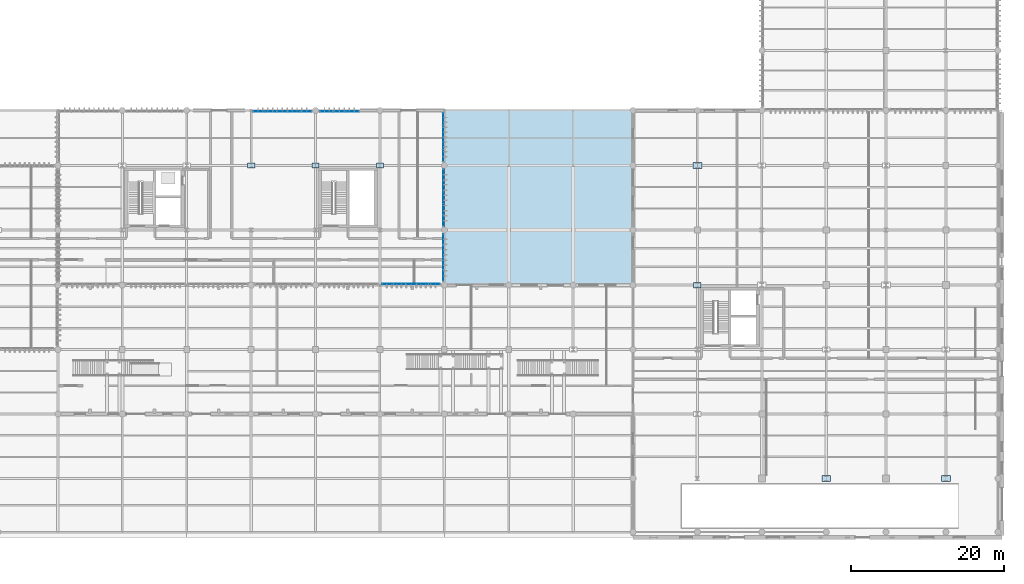
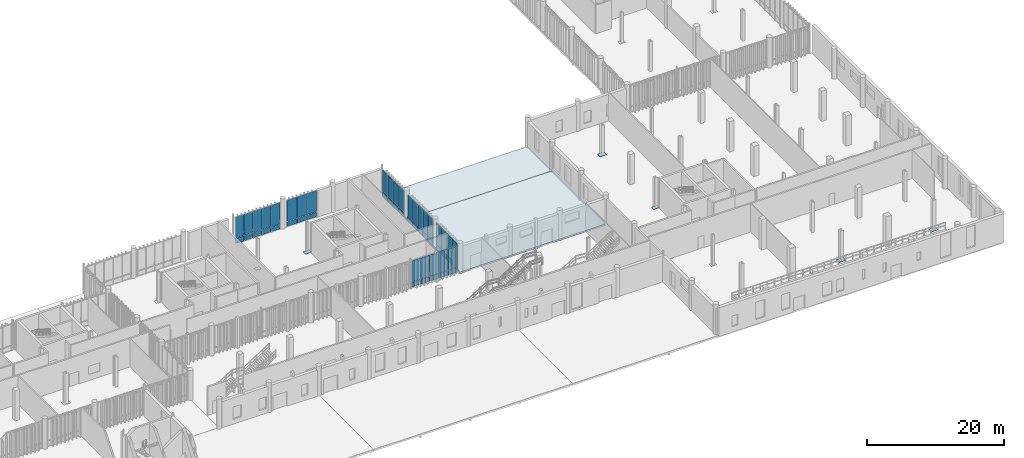
# One storey, part 80 of 112: 59 plates, 2 slabs, 6 elements without a shape of their own.
"""IFC4 building model written with IfcOpenShell, lengths in metres."""

from ifc_helpers import new_model, si_unit, direction, frame, frame_2d, origin_with_axes, origin_2d_with_axis, place, context, subcontext, project, spatial, polyline, rectangle, outline, extrude, material, layer, layer_set, type_object, element, aggregate, save


model = new_model("IFC4")

# Units and contexts
model_context = context("Model", 3, precision=1e-05, world=origin_with_axes(), true_north=direction((0.0, 1.0)))
body_context = subcontext(model_context, "Body", "Model", "MODEL_VIEW")
ifc_project = project(units=[si_unit("LENGTHUNIT", "METRE"), si_unit("AREAUNIT", "SQUARE_METRE"), si_unit("VOLUMEUNIT", "CUBIC_METRE"), si_unit("PLANEANGLEUNIT", "RADIAN"), si_unit("MASSUNIT", "GRAM", prefix="KILO"), si_unit("THERMODYNAMICTEMPERATUREUNIT", "KELVIN")], contexts=[model_context])

# Site, building, storey
site_placement = place(None, origin_with_axes())
site = spatial("IfcSite", under=ifc_project, at=site_placement, CompositionType="ELEMENT")
building_placement = place(site_placement, origin_with_axes())
building = spatial("IfcBuilding", under=site, at=building_placement, Name="Montbau Bow Law Courts", CompositionType="ELEMENT")
storey_placement = place(building_placement, origin_with_axes())
storey = spatial("IfcBuildingStorey", under=building, at=storey_placement, Name="L00", CompositionType="ELEMENT", Elevation=0.0)

# Plates
ifc_material_1 = material(Name="Steel CSA G40.21 Grade 350WT (350 MPa)", Category="steel")
ifc_layer_1 = layer(ifc_material_1, 0.065, Name="Base Plate", Category="steel")
ifc_layer_set_1 = layer_set([ifc_layer_1], Name="Steel CSA G40.21 Grade 350WT (350 MPa)")
plate_type_1 = type_object("IfcPlateType", Name="PL-BAS-01", PredefinedType="USERDEFINED", material=ifc_layer_set_1)
for number, where, z_axis, x_axis, name in (
    (1, (130.2, 54.6, -0.065), (0.0, 0.0, 1.0), (1.0, 0.0, 0.0), "BP-282:plt_0015"),
    (2, (147.0, 13.8, -0.065), (0.0, 0.0, 1.0), (1.0, 0.0, 0.0), "BP-300:plt_0018"),
    (3, (162.6, 13.8, -0.065), (0.0, 0.0, 1.0), (1.0, 0.0, 0.0), "BP-330:plt_0027"),
):
    element("IfcPlate", number, at=place(None, frame(where, z_axis=z_axis, x_axis=x_axis)), inside=storey, type_object=plate_type_1, Name=name, ObjectType="BASE_PLATE", PredefinedType="USERDEFINED", context=body_context, shape_type="SweptSolid", body=[
        extrude(rectangle(XDim=1.15, YDim=0.8, at=origin_2d_with_axis()), origin_with_axes(), (0.0, 0.0, 1.0), 0.065),
    ])
ifc_material_2 = material(Name="Steel CSA G40.21 Grade 350W (350 MPa)", Category="steel")
ifc_layer_2 = layer(ifc_material_2, 0.05, Name="Base Plate", Category="steel")
ifc_layer_set_2 = layer_set([ifc_layer_2], Name="Steel CSA G40.21 Grade 350W (350 MPa)")
plate_type_2 = type_object("IfcPlateType", Name="PL-BAS-02", PredefinedType="USERDEFINED", material=ifc_layer_set_2)
for number, where, z_axis, x_axis, name in (
    (4, (72.0, 54.6, -0.05), (0.0, 0.0, 1.0), (1.0, 0.0, 0.0), "BP-242:plt_0009"),
    (5, (80.4, 54.6, -0.05), (0.0, 0.0, 1.0), (1.0, 0.0, 0.0), "BP-248:plt_0010"),
    (6, (88.8, 54.6, -0.05), (0.0, 0.0, 1.0), (1.0, 0.0, 0.0), "BP-254:plt_0011"),
    (7, (130.2, 39.0, -0.05), (0.0, 0.0, 1.0), (1.0, 0.0, 0.0), "BP-280:plt_0014"),
):
    element("IfcPlate", number, at=place(None, frame(where, z_axis=z_axis, x_axis=x_axis)), inside=storey, type_object=plate_type_2, Name=name, ObjectType="BASE_PLATE", PredefinedType="USERDEFINED", context=body_context, shape_type="SweptSolid", body=[
        extrude(rectangle(XDim=0.96, YDim=0.68, at=origin_2d_with_axis()), origin_with_axes(), (0.0, 0.0, 1.0), 0.05),
    ])

# Curtain wall, plates
ifc_material_3 = material(Name="Thermally Broken Extruded Aluminium AA 6063-T6", Category="aluminium")
curtain_wall_type = type_object("IfcCurtainWallType", Name="CW-CRM-01", PredefinedType="NOTDEFINED", material=ifc_material_3)
curtain_wall_1_placement = place(None, frame((89.067, 39.14, 0.0), z_axis=(0.0, 0.0, 1.0), x_axis=(1.0, 0.0, 0.0)))
curtain_wall_1 = element("IfcCurtainWall", 8, at=curtain_wall_1_placement, inside=storey, type_object=curtain_wall_type, Name="CW-L00-128:cw_0128", PredefinedType="NOTDEFINED")
ifc_material_4 = material(Name="Triple-Glazed Low-E Argon Insulating Glass Unit", Category="glass")
ifc_layer_3 = layer(ifc_material_4, 0.044, Name="Curtain Panel", Category="glass")
ifc_layer_set_3 = layer_set([ifc_layer_3], Name="Triple-Glazed Low-E Argon Insulating Glass Unit")
plate_type_3 = type_object("IfcPlateType", Name="PL-CWP-01", PredefinedType="CURTAIN_PANEL", material=ifc_layer_set_3)
plate_1_placement = place(None, frame((89.129, 39.14, 0.982), z_axis=(0.0, -1.0, 0.0), x_axis=(1.0, 0.0, 0.0)))
plate_1 = element("IfcPlate", 9, at=plate_1_placement, type_object=plate_type_3, Name="CW-L00-128-P01-2:cw_0128_P01_2", PredefinedType="CURTAIN_PANEL", context=body_context, shape_type="SweptSolid", body=[
    extrude(rectangle(XDim=1.43, YDim=3.776, at=frame_2d((0.715, 1.888), x_axis=(1.0, 0.0))), frame((0.0, 0.0, -0.022), z_axis=(0.0, 0.0, 1.0), x_axis=(1.0, 0.0, 0.0)), (0.0, 0.0, 1.0), 0.044),
])
plate_2_placement = place(None, frame((90.623, 39.14, 0.982), z_axis=(0.0, -1.0, 0.0), x_axis=(1.0, 0.0, 0.0)))
plate_2 = element("IfcPlate", 10, at=plate_2_placement, type_object=plate_type_3, Name="CW-L00-128-P02-2:cw_0128_P02_2", PredefinedType="CURTAIN_PANEL", context=body_context, shape_type="SweptSolid", body=[
    extrude(rectangle(XDim=1.459, YDim=3.776, at=frame_2d((0.7295, 1.888), x_axis=(1.0, 0.0))), frame((0.0, 0.0, -0.022), z_axis=(0.0, 0.0, 1.0), x_axis=(1.0, 0.0, 0.0)), (0.0, 0.0, 1.0), 0.044),
])
plate_3_placement = place(None, frame((92.146, 39.14, 0.982), z_axis=(0.0, -1.0, 0.0), x_axis=(1.0, 0.0, 0.0)))
plate_3 = element("IfcPlate", 11, at=plate_3_placement, type_object=plate_type_3, Name="CW-L00-128-P03-2:cw_0128_P03_2", PredefinedType="CURTAIN_PANEL", context=body_context, shape_type="SweptSolid", body=[
    extrude(rectangle(XDim=1.46, YDim=3.776, at=frame_2d((0.73, 1.888), x_axis=(1.0, 0.0))), frame((0.0, 0.0, -0.022), z_axis=(0.0, 0.0, 1.0), x_axis=(1.0, 0.0, 0.0)), (0.0, 0.0, 1.0), 0.044),
])
plate_4_placement = place(None, frame((93.67, 39.14, 0.982), z_axis=(0.0, -1.0, 0.0), x_axis=(1.0, 0.0, 0.0)))
plate_4 = element("IfcPlate", 12, at=plate_4_placement, type_object=plate_type_3, Name="CW-L00-128-P04-2:cw_0128_P04_2", PredefinedType="CURTAIN_PANEL", context=body_context, shape_type="SweptSolid", body=[
    extrude(rectangle(XDim=1.459, YDim=3.776, at=frame_2d((0.7295, 1.888), x_axis=(1.0, 0.0))), frame((0.0, 0.0, -0.022), z_axis=(0.0, 0.0, 1.0), x_axis=(1.0, 0.0, 0.0)), (0.0, 0.0, 1.0), 0.044),
])
plate_5_placement = place(None, frame((95.193, 39.14, 0.982), z_axis=(0.0, -1.0, 0.0), x_axis=(1.0, 0.0, 0.0)))
plate_5 = element("IfcPlate", 13, at=plate_5_placement, type_object=plate_type_3, Name="CW-L00-128-P05-2:cw_0128_P05_2", PredefinedType="CURTAIN_PANEL", context=body_context, shape_type="SweptSolid", body=[
    extrude(rectangle(XDim=1.43, YDim=3.776, at=frame_2d((0.715, 1.888), x_axis=(1.0, 0.0))), frame((0.0, 0.0, -0.022), z_axis=(0.0, 0.0, 1.0), x_axis=(1.0, 0.0, 0.0)), (0.0, 0.0, 1.0), 0.044),
])

curtain_wall_2_placement = place(None, frame((72.267, 61.66, 0.0), z_axis=(0.0, 0.0, 1.0), x_axis=(1.0, 0.0, 0.0)))
curtain_wall_2 = element("IfcCurtainWall", 14, at=curtain_wall_2_placement, inside=storey, type_object=curtain_wall_type, Name="CW-L00-131:cw_0131", PredefinedType="NOTDEFINED")
plate_6_placement = place(None, frame((72.329, 61.66, 0.979), z_axis=(0.0, -1.0, 0.0), x_axis=(1.0, 0.0, 0.0)))
plate_6 = element("IfcPlate", 15, at=plate_6_placement, type_object=plate_type_3, Name="CW-L00-131-P01-2:cw_0131_P01_2", PredefinedType="CURTAIN_PANEL", context=body_context, shape_type="SweptSolid", body=[
    extrude(rectangle(XDim=1.43, YDim=3.785, at=frame_2d((0.715, 1.8925), x_axis=(1.0, 0.0))), frame((0.0, 0.0, -0.022), z_axis=(0.0, 0.0, 1.0), x_axis=(1.0, 0.0, 0.0)), (0.0, 0.0, 1.0), 0.044),
])
plate_7_placement = place(None, frame((73.823, 61.66, 0.979), z_axis=(0.0, -1.0, 0.0), x_axis=(1.0, 0.0, 0.0)))
plate_7 = element("IfcPlate", 16, at=plate_7_placement, type_object=plate_type_3, Name="CW-L00-131-P02-2:cw_0131_P02_2", PredefinedType="CURTAIN_PANEL", context=body_context, shape_type="SweptSolid", body=[
    extrude(rectangle(XDim=1.459, YDim=3.785, at=frame_2d((0.7295, 1.8925), x_axis=(1.0, 0.0))), frame((0.0, 0.0, -0.022), z_axis=(0.0, 0.0, 1.0), x_axis=(1.0, 0.0, 0.0)), (0.0, 0.0, 1.0), 0.044),
])
plate_8_placement = place(None, frame((75.346, 61.66, 0.979), z_axis=(0.0, -1.0, 0.0), x_axis=(1.0, 0.0, 0.0)))
plate_8 = element("IfcPlate", 17, at=plate_8_placement, type_object=plate_type_3, Name="CW-L00-131-P03-2:cw_0131_P03_2", PredefinedType="CURTAIN_PANEL", context=body_context, shape_type="SweptSolid", body=[
    extrude(rectangle(XDim=1.46, YDim=3.785, at=frame_2d((0.73, 1.8925), x_axis=(1.0, 0.0))), frame((0.0, 0.0, -0.022), z_axis=(0.0, 0.0, 1.0), x_axis=(1.0, 0.0, 0.0)), (0.0, 0.0, 1.0), 0.044),
])
plate_9_placement = place(None, frame((76.87, 61.66, 0.979), z_axis=(0.0, -1.0, 0.0), x_axis=(1.0, 0.0, 0.0)))
plate_9 = element("IfcPlate", 18, at=plate_9_placement, type_object=plate_type_3, Name="CW-L00-131-P04-2:cw_0131_P04_2", PredefinedType="CURTAIN_PANEL", context=body_context, shape_type="SweptSolid", body=[
    extrude(rectangle(XDim=1.459, YDim=3.785, at=frame_2d((0.7295, 1.8925), x_axis=(1.0, 0.0))), frame((0.0, 0.0, -0.022), z_axis=(0.0, 0.0, 1.0), x_axis=(1.0, 0.0, 0.0)), (0.0, 0.0, 1.0), 0.044),
])
plate_10_placement = place(None, frame((78.393, 61.66, 0.979), z_axis=(0.0, -1.0, 0.0), x_axis=(1.0, 0.0, 0.0)))
plate_10 = element("IfcPlate", 19, at=plate_10_placement, type_object=plate_type_3, Name="CW-L00-131-P05-2:cw_0131_P05_2", PredefinedType="CURTAIN_PANEL", context=body_context, shape_type="SweptSolid", body=[
    extrude(rectangle(XDim=1.43, YDim=3.785, at=frame_2d((0.715, 1.8925), x_axis=(1.0, 0.0))), frame((0.0, 0.0, -0.022), z_axis=(0.0, 0.0, 1.0), x_axis=(1.0, 0.0, 0.0)), (0.0, 0.0, 1.0), 0.044),
])

curtain_wall_3_placement = place(None, frame((80.915, 61.66, 0.0), z_axis=(0.0, 0.0, 1.0), x_axis=(1.0, 0.0, 0.0)))
curtain_wall_3 = element("IfcCurtainWall", 20, at=curtain_wall_3_placement, inside=storey, type_object=curtain_wall_type, Name="CW-L00-132:cw_0132", PredefinedType="NOTDEFINED")
plate_11_placement = place(None, frame((80.991, 61.66, 0.982), z_axis=(0.0, -1.0, 0.0), x_axis=(1.0, 0.0, 0.0)))
plate_11 = element("IfcPlate", 21, at=plate_11_placement, type_object=plate_type_3, Name="CW-L00-132-P01-2:cw_0132_P01_2", PredefinedType="CURTAIN_PANEL", context=body_context, shape_type="SweptSolid", body=[
    extrude(rectangle(XDim=1.62, YDim=3.776, at=frame_2d((0.81, 1.888), x_axis=(1.0, 0.0))), frame((0.0, 0.0, -0.022), z_axis=(0.0, 0.0, 1.0), x_axis=(1.0, 0.0, 0.0)), (0.0, 0.0, 1.0), 0.044),
])
plate_12_placement = place(None, frame((82.69, 61.66, 0.982), z_axis=(0.0, -1.0, 0.0), x_axis=(1.0, 0.0, 0.0)))
plate_12 = element("IfcPlate", 22, at=plate_12_placement, type_object=plate_type_3, Name="CW-L00-132-P02-2:cw_0132_P02_2", PredefinedType="CURTAIN_PANEL", context=body_context, shape_type="SweptSolid", body=[
    extrude(rectangle(XDim=1.656, YDim=3.776, at=frame_2d((0.828, 1.888), x_axis=(1.0, 0.0))), frame((0.0, 0.0, -0.022), z_axis=(0.0, 0.0, 1.0), x_axis=(1.0, 0.0, 0.0)), (0.0, 0.0, 1.0), 0.044),
])
plate_13_placement = place(None, frame((84.425, 61.66, 0.982), z_axis=(0.0, -1.0, 0.0), x_axis=(1.0, 0.0, 0.0)))
plate_13 = element("IfcPlate", 23, at=plate_13_placement, type_object=plate_type_3, Name="CW-L00-132-P03-2:cw_0132_P03_2", PredefinedType="CURTAIN_PANEL", context=body_context, shape_type="SweptSolid", body=[
    extrude(rectangle(XDim=1.618, YDim=3.776, at=frame_2d((0.809, 1.888), x_axis=(1.0, 0.0))), frame((0.0, 0.0, -0.022), z_axis=(0.0, 0.0, 1.0), x_axis=(1.0, 0.0, 0.0)), (0.0, 0.0, 1.0), 0.044),
])

curtain_wall_4_placement = place(None, frame((97.06, 39.515, 0.0), z_axis=(0.0, 0.0, 1.0), x_axis=(1.0, 0.0, 0.0)))
curtain_wall_4 = element("IfcCurtainWall", 24, at=curtain_wall_4_placement, inside=storey, type_object=curtain_wall_type, Name="CW-L00-136:cw_0136", PredefinedType="NOTDEFINED")
plate_14_placement = place(None, frame((97.06, 39.583, 0.982), z_axis=(1.0, 0.0, 0.0), x_axis=(0.0, 1.0, 0.0)))
plate_14 = element("IfcPlate", 25, at=plate_14_placement, type_object=plate_type_3, Name="CW-L00-136-P01-2:cw_0136_P01_2", PredefinedType="CURTAIN_PANEL", context=body_context, shape_type="SweptSolid", body=[
    extrude(rectangle(XDim=1.44, YDim=3.776, at=frame_2d((0.72, 1.888), x_axis=(1.0, 0.0))), frame((0.0, 0.0, -0.022), z_axis=(0.0, 0.0, 1.0), x_axis=(1.0, 0.0, 0.0)), (0.0, 0.0, 1.0), 0.044),
])
plate_15_placement = place(None, frame((97.06, 41.092, 0.982), z_axis=(1.0, 0.0, 0.0), x_axis=(0.0, 1.0, 0.0)))
plate_15 = element("IfcPlate", 26, at=plate_15_placement, type_object=plate_type_3, Name="CW-L00-136-P02-2:cw_0136_P02_2", PredefinedType="CURTAIN_PANEL", context=body_context, shape_type="SweptSolid", body=[
    extrude(rectangle(XDim=1.473, YDim=3.776, at=frame_2d((0.7365, 1.888), x_axis=(1.0, 0.0))), frame((0.0, 0.0, -0.022), z_axis=(0.0, 0.0, 1.0), x_axis=(1.0, 0.0, 0.0)), (0.0, 0.0, 1.0), 0.044),
])
plate_16_placement = place(None, frame((97.06, 42.634, 0.982), z_axis=(1.0, 0.0, 0.0), x_axis=(0.0, 1.0, 0.0)))
plate_16 = element("IfcPlate", 27, at=plate_16_placement, type_object=plate_type_3, Name="CW-L00-136-P03-2:cw_0136_P03_2", PredefinedType="CURTAIN_PANEL", context=body_context, shape_type="SweptSolid", body=[
    extrude(rectangle(XDim=1.475, YDim=3.776, at=frame_2d((0.7375, 1.888), x_axis=(1.0, 0.0))), frame((0.0, 0.0, -0.022), z_axis=(0.0, 0.0, 1.0), x_axis=(1.0, 0.0, 0.0)), (0.0, 0.0, 1.0), 0.044),
])
plate_17_placement = place(None, frame((97.06, 44.177, 0.982), z_axis=(1.0, 0.0, 0.0), x_axis=(0.0, 1.0, 0.0)))
plate_17 = element("IfcPlate", 28, at=plate_17_placement, type_object=plate_type_3, Name="CW-L00-136-P04-2:cw_0136_P04_2", PredefinedType="CURTAIN_PANEL", context=body_context, shape_type="SweptSolid", body=[
    extrude(rectangle(XDim=1.442, YDim=3.776, at=frame_2d((0.721, 1.888), x_axis=(1.0, 0.0))), frame((0.0, 0.0, -0.022), z_axis=(0.0, 0.0, 1.0), x_axis=(1.0, 0.0, 0.0)), (0.0, 0.0, 1.0), 0.044),
])

curtain_wall_5_placement = place(None, frame((97.06, 46.715, 0.0), z_axis=(0.0, 0.0, 1.0), x_axis=(1.0, 0.0, 0.0)))
curtain_wall_5 = element("IfcCurtainWall", 29, at=curtain_wall_5_placement, inside=storey, type_object=curtain_wall_type, Name="CW-L00-137:cw_0137", PredefinedType="NOTDEFINED")
plate_18_placement = place(None, frame((97.06, 46.777, 0.979), z_axis=(1.0, 0.0, 0.0), x_axis=(0.0, 1.0, 0.0)))
plate_18 = element("IfcPlate", 30, at=plate_18_placement, type_object=plate_type_3, Name="CW-L00-137-P01-2:cw_0137_P01_2", PredefinedType="CURTAIN_PANEL", context=body_context, shape_type="SweptSolid", body=[
    extrude(rectangle(XDim=1.38, YDim=3.785, at=frame_2d((0.69, 1.8925), x_axis=(1.0, 0.0))), frame((0.0, 0.0, -0.022), z_axis=(0.0, 0.0, 1.0), x_axis=(1.0, 0.0, 0.0)), (0.0, 0.0, 1.0), 0.044),
])
plate_19_placement = place(None, frame((97.06, 48.221, 0.979), z_axis=(1.0, 0.0, 0.0), x_axis=(0.0, 1.0, 0.0)))
plate_19 = element("IfcPlate", 31, at=plate_19_placement, type_object=plate_type_3, Name="CW-L00-137-P02-2:cw_0137_P02_2", PredefinedType="CURTAIN_PANEL", context=body_context, shape_type="SweptSolid", body=[
    extrude(rectangle(XDim=1.41, YDim=3.785, at=frame_2d((0.705, 1.8925), x_axis=(1.0, 0.0))), frame((0.0, 0.0, -0.022), z_axis=(0.0, 0.0, 1.0), x_axis=(1.0, 0.0, 0.0)), (0.0, 0.0, 1.0), 0.044),
])
plate_20_placement = place(None, frame((97.06, 49.695, 0.979), z_axis=(1.0, 0.0, 0.0), x_axis=(0.0, 1.0, 0.0)))
plate_20 = element("IfcPlate", 32, at=plate_20_placement, type_object=plate_type_3, Name="CW-L00-137-P03-2:cw_0137_P03_2", PredefinedType="CURTAIN_PANEL", context=body_context, shape_type="SweptSolid", body=[
    extrude(rectangle(XDim=1.41, YDim=3.785, at=frame_2d((0.705, 1.8925), x_axis=(1.0, 0.0))), frame((0.0, 0.0, -0.022), z_axis=(0.0, 0.0, 1.0), x_axis=(1.0, 0.0, 0.0)), (0.0, 0.0, 1.0), 0.044),
])
plate_21_placement = place(None, frame((97.06, 51.169, 0.979), z_axis=(1.0, 0.0, 0.0), x_axis=(0.0, 1.0, 0.0)))
plate_21 = element("IfcPlate", 33, at=plate_21_placement, type_object=plate_type_3, Name="CW-L00-137-P04-2:cw_0137_P04_2", PredefinedType="CURTAIN_PANEL", context=body_context, shape_type="SweptSolid", body=[
    extrude(rectangle(XDim=1.41, YDim=3.785, at=frame_2d((0.705, 1.8925), x_axis=(1.0, 0.0))), frame((0.0, 0.0, -0.022), z_axis=(0.0, 0.0, 1.0), x_axis=(1.0, 0.0, 0.0)), (0.0, 0.0, 1.0), 0.044),
])
plate_22_placement = place(None, frame((97.06, 52.643, 0.979), z_axis=(1.0, 0.0, 0.0), x_axis=(0.0, 1.0, 0.0)))
plate_22 = element("IfcPlate", 34, at=plate_22_placement, type_object=plate_type_3, Name="CW-L00-137-P05-2:cw_0137_P05_2", PredefinedType="CURTAIN_PANEL", context=body_context, shape_type="SweptSolid", body=[
    extrude(rectangle(XDim=1.38, YDim=3.785, at=frame_2d((0.69, 1.8925), x_axis=(1.0, 0.0))), frame((0.0, 0.0, -0.022), z_axis=(0.0, 0.0, 1.0), x_axis=(1.0, 0.0, 0.0)), (0.0, 0.0, 1.0), 0.044),
])

curtain_wall_6_placement = place(None, frame((97.06, 55.115, 0.0), z_axis=(0.0, 0.0, 1.0), x_axis=(1.0, 0.0, 0.0)))
curtain_wall_6 = element("IfcCurtainWall", 35, at=curtain_wall_6_placement, inside=storey, type_object=curtain_wall_type, Name="CW-L00-138:cw_0138", PredefinedType="NOTDEFINED")
plate_23_placement = place(None, frame((97.06, 55.191, 0.982), z_axis=(1.0, 0.0, 0.0), x_axis=(0.0, 1.0, 0.0)))
plate_23 = element("IfcPlate", 36, at=plate_23_placement, type_object=plate_type_3, Name="CW-L00-138-P01-2:cw_0138_P01_2", PredefinedType="CURTAIN_PANEL", context=body_context, shape_type="SweptSolid", body=[
    extrude(rectangle(XDim=1.48, YDim=3.776, at=frame_2d((0.74, 1.888), x_axis=(1.0, 0.0))), frame((0.0, 0.0, -0.022), z_axis=(0.0, 0.0, 1.0), x_axis=(1.0, 0.0, 0.0)), (0.0, 0.0, 1.0), 0.044),
])
plate_24_placement = place(None, frame((97.06, 56.751, 0.982), z_axis=(1.0, 0.0, 0.0), x_axis=(0.0, 1.0, 0.0)))
plate_24 = element("IfcPlate", 37, at=plate_24_placement, type_object=plate_type_3, Name="CW-L00-138-P02-2:cw_0138_P02_2", PredefinedType="CURTAIN_PANEL", context=body_context, shape_type="SweptSolid", body=[
    extrude(rectangle(XDim=1.517, YDim=3.776, at=frame_2d((0.7585, 1.888), x_axis=(1.0, 0.0))), frame((0.0, 0.0, -0.022), z_axis=(0.0, 0.0, 1.0), x_axis=(1.0, 0.0, 0.0)), (0.0, 0.0, 1.0), 0.044),
])
plate_25_placement = place(None, frame((97.06, 58.347, 0.982), z_axis=(1.0, 0.0, 0.0), x_axis=(0.0, 1.0, 0.0)))
plate_25 = element("IfcPlate", 38, at=plate_25_placement, type_object=plate_type_3, Name="CW-L00-138-P03-2:cw_0138_P03_2", PredefinedType="CURTAIN_PANEL", context=body_context, shape_type="SweptSolid", body=[
    extrude(rectangle(XDim=1.517, YDim=3.776, at=frame_2d((0.7585, 1.888), x_axis=(1.0, 0.0))), frame((0.0, 0.0, -0.022), z_axis=(0.0, 0.0, 1.0), x_axis=(1.0, 0.0, 0.0)), (0.0, 0.0, 1.0), 0.044),
])
plate_26_placement = place(None, frame((97.06, 59.942, 0.982), z_axis=(1.0, 0.0, 0.0), x_axis=(0.0, 1.0, 0.0)))
plate_26 = element("IfcPlate", 39, at=plate_26_placement, type_object=plate_type_3, Name="CW-L00-138-P04-2:cw_0138_P04_2", PredefinedType="CURTAIN_PANEL", context=body_context, shape_type="SweptSolid", body=[
    extrude(rectangle(XDim=1.481, YDim=3.776, at=frame_2d((0.7405, 1.888), x_axis=(1.0, 0.0))), frame((0.0, 0.0, -0.022), z_axis=(0.0, 0.0, 1.0), x_axis=(1.0, 0.0, 0.0)), (0.0, 0.0, 1.0), 0.044),
])

# Plate
ifc_material_5 = material(Name="Insulated Ceramic-Frit Spandrel Glazing Unit", Category="glass")
ifc_layer_4 = layer(ifc_material_5, 0.056, Name="Curtain Panel", Category="glass")
ifc_layer_set_4 = layer_set([ifc_layer_4], Name="Insulated Ceramic-Frit Spandrel Glazing Unit")
plate_type_4 = type_object("IfcPlateType", Name="PL-CWP-02", PredefinedType="CURTAIN_PANEL", material=ifc_layer_set_4)
plate_27_placement = place(None, frame((89.129, 39.14, 0.062), z_axis=(0.0, -1.0, 0.0), x_axis=(1.0, 0.0, 0.0)))
plate_27 = element("IfcPlate", 40, at=plate_27_placement, type_object=plate_type_4, Name="CW-L00-128-P01-1:cw_0128_P01_1", PredefinedType="CURTAIN_PANEL", context=body_context, shape_type="SweptSolid", body=[
    extrude(rectangle(XDim=1.43, YDim=0.856, at=frame_2d((0.715, 0.428), x_axis=(1.0, 0.0))), frame((0.0, 0.0, -0.028), z_axis=(0.0, 0.0, 1.0), x_axis=(1.0, 0.0, 0.0)), (0.0, 0.0, 1.0), 0.056),
])

plate_28_placement = place(None, frame((90.623, 39.14, 0.062), z_axis=(0.0, -1.0, 0.0), x_axis=(1.0, 0.0, 0.0)))
plate_28 = element("IfcPlate", 41, at=plate_28_placement, type_object=plate_type_4, Name="CW-L00-128-P02-1:cw_0128_P02_1", PredefinedType="CURTAIN_PANEL", context=body_context, shape_type="SweptSolid", body=[
    extrude(rectangle(XDim=1.459, YDim=0.856, at=frame_2d((0.7295, 0.428), x_axis=(1.0, 0.0))), frame((0.0, 0.0, -0.028), z_axis=(0.0, 0.0, 1.0), x_axis=(1.0, 0.0, 0.0)), (0.0, 0.0, 1.0), 0.056),
])

plate_29_placement = place(None, frame((92.146, 39.14, 0.062), z_axis=(0.0, -1.0, 0.0), x_axis=(1.0, 0.0, 0.0)))
plate_29 = element("IfcPlate", 42, at=plate_29_placement, type_object=plate_type_4, Name="CW-L00-128-P03-1:cw_0128_P03_1", PredefinedType="CURTAIN_PANEL", context=body_context, shape_type="SweptSolid", body=[
    extrude(rectangle(XDim=1.46, YDim=0.856, at=frame_2d((0.73, 0.428), x_axis=(1.0, 0.0))), frame((0.0, 0.0, -0.028), z_axis=(0.0, 0.0, 1.0), x_axis=(1.0, 0.0, 0.0)), (0.0, 0.0, 1.0), 0.056),
])

plate_30_placement = place(None, frame((93.67, 39.14, 0.062), z_axis=(0.0, -1.0, 0.0), x_axis=(1.0, 0.0, 0.0)))
plate_30 = element("IfcPlate", 43, at=plate_30_placement, type_object=plate_type_4, Name="CW-L00-128-P04-1:cw_0128_P04_1", PredefinedType="CURTAIN_PANEL", context=body_context, shape_type="SweptSolid", body=[
    extrude(rectangle(XDim=1.459, YDim=0.856, at=frame_2d((0.7295, 0.428), x_axis=(1.0, 0.0))), frame((0.0, 0.0, -0.028), z_axis=(0.0, 0.0, 1.0), x_axis=(1.0, 0.0, 0.0)), (0.0, 0.0, 1.0), 0.056),
])

plate_31_placement = place(None, frame((95.193, 39.14, 0.062), z_axis=(0.0, -1.0, 0.0), x_axis=(1.0, 0.0, 0.0)))
plate_31 = element("IfcPlate", 44, at=plate_31_placement, type_object=plate_type_4, Name="CW-L00-128-P05-1:cw_0128_P05_1", PredefinedType="CURTAIN_PANEL", context=body_context, shape_type="SweptSolid", body=[
    extrude(rectangle(XDim=1.43, YDim=0.856, at=frame_2d((0.715, 0.428), x_axis=(1.0, 0.0))), frame((0.0, 0.0, -0.028), z_axis=(0.0, 0.0, 1.0), x_axis=(1.0, 0.0, 0.0)), (0.0, 0.0, 1.0), 0.056),
])

aggregate(curtain_wall_1, [plate_27, plate_1, plate_28, plate_2, plate_29, plate_3, plate_30, plate_4, plate_31, plate_5])

plate_32_placement = place(None, frame((72.329, 61.66, 0.058), z_axis=(0.0, -1.0, 0.0), x_axis=(1.0, 0.0, 0.0)))
plate_32 = element("IfcPlate", 45, at=plate_32_placement, type_object=plate_type_4, Name="CW-L00-131-P01-1:cw_0131_P01_1", PredefinedType="CURTAIN_PANEL", context=body_context, shape_type="SweptSolid", body=[
    extrude(rectangle(XDim=1.43, YDim=0.862, at=frame_2d((0.715, 0.431), x_axis=(1.0, 0.0))), frame((0.0, 0.0, -0.028), z_axis=(0.0, 0.0, 1.0), x_axis=(1.0, 0.0, 0.0)), (0.0, 0.0, 1.0), 0.056),
])

plate_33_placement = place(None, frame((73.823, 61.66, 0.058), z_axis=(0.0, -1.0, 0.0), x_axis=(1.0, 0.0, 0.0)))
plate_33 = element("IfcPlate", 46, at=plate_33_placement, type_object=plate_type_4, Name="CW-L00-131-P02-1:cw_0131_P02_1", PredefinedType="CURTAIN_PANEL", context=body_context, shape_type="SweptSolid", body=[
    extrude(rectangle(XDim=1.459, YDim=0.862, at=frame_2d((0.7295, 0.431), x_axis=(1.0, 0.0))), frame((0.0, 0.0, -0.028), z_axis=(0.0, 0.0, 1.0), x_axis=(1.0, 0.0, 0.0)), (0.0, 0.0, 1.0), 0.056),
])

plate_34_placement = place(None, frame((75.346, 61.66, 0.058), z_axis=(0.0, -1.0, 0.0), x_axis=(1.0, 0.0, 0.0)))
plate_34 = element("IfcPlate", 47, at=plate_34_placement, type_object=plate_type_4, Name="CW-L00-131-P03-1:cw_0131_P03_1", PredefinedType="CURTAIN_PANEL", context=body_context, shape_type="SweptSolid", body=[
    extrude(rectangle(XDim=1.46, YDim=0.862, at=frame_2d((0.73, 0.431), x_axis=(1.0, 0.0))), frame((0.0, 0.0, -0.028), z_axis=(0.0, 0.0, 1.0), x_axis=(1.0, 0.0, 0.0)), (0.0, 0.0, 1.0), 0.056),
])

plate_35_placement = place(None, frame((76.87, 61.66, 0.058), z_axis=(0.0, -1.0, 0.0), x_axis=(1.0, 0.0, 0.0)))
plate_35 = element("IfcPlate", 48, at=plate_35_placement, type_object=plate_type_4, Name="CW-L00-131-P04-1:cw_0131_P04_1", PredefinedType="CURTAIN_PANEL", context=body_context, shape_type="SweptSolid", body=[
    extrude(rectangle(XDim=1.459, YDim=0.862, at=frame_2d((0.7295, 0.431), x_axis=(1.0, 0.0))), frame((0.0, 0.0, -0.028), z_axis=(0.0, 0.0, 1.0), x_axis=(1.0, 0.0, 0.0)), (0.0, 0.0, 1.0), 0.056),
])

plate_36_placement = place(None, frame((78.393, 61.66, 0.058), z_axis=(0.0, -1.0, 0.0), x_axis=(1.0, 0.0, 0.0)))
plate_36 = element("IfcPlate", 49, at=plate_36_placement, type_object=plate_type_4, Name="CW-L00-131-P05-1:cw_0131_P05_1", PredefinedType="CURTAIN_PANEL", context=body_context, shape_type="SweptSolid", body=[
    extrude(rectangle(XDim=1.43, YDim=0.862, at=frame_2d((0.715, 0.431), x_axis=(1.0, 0.0))), frame((0.0, 0.0, -0.028), z_axis=(0.0, 0.0, 1.0), x_axis=(1.0, 0.0, 0.0)), (0.0, 0.0, 1.0), 0.056),
])

aggregate(curtain_wall_2, [plate_32, plate_6, plate_33, plate_7, plate_34, plate_8, plate_35, plate_9, plate_36, plate_10])

plate_37_placement = place(None, frame((80.991, 61.66, 0.062), z_axis=(0.0, -1.0, 0.0), x_axis=(1.0, 0.0, 0.0)))
plate_37 = element("IfcPlate", 50, at=plate_37_placement, type_object=plate_type_4, Name="CW-L00-132-P01-1:cw_0132_P01_1", PredefinedType="CURTAIN_PANEL", context=body_context, shape_type="SweptSolid", body=[
    extrude(rectangle(XDim=1.62, YDim=0.856, at=frame_2d((0.81, 0.428), x_axis=(1.0, 0.0))), frame((0.0, 0.0, -0.028), z_axis=(0.0, 0.0, 1.0), x_axis=(1.0, 0.0, 0.0)), (0.0, 0.0, 1.0), 0.056),
])

plate_38_placement = place(None, frame((82.69, 61.66, 0.062), z_axis=(0.0, -1.0, 0.0), x_axis=(1.0, 0.0, 0.0)))
plate_38 = element("IfcPlate", 51, at=plate_38_placement, type_object=plate_type_4, Name="CW-L00-132-P02-1:cw_0132_P02_1", PredefinedType="CURTAIN_PANEL", context=body_context, shape_type="SweptSolid", body=[
    extrude(rectangle(XDim=1.656, YDim=0.856, at=frame_2d((0.828, 0.428), x_axis=(1.0, 0.0))), frame((0.0, 0.0, -0.028), z_axis=(0.0, 0.0, 1.0), x_axis=(1.0, 0.0, 0.0)), (0.0, 0.0, 1.0), 0.056),
])

plate_39_placement = place(None, frame((84.425, 61.66, 0.062), z_axis=(0.0, -1.0, 0.0), x_axis=(1.0, 0.0, 0.0)))
plate_39 = element("IfcPlate", 52, at=plate_39_placement, type_object=plate_type_4, Name="CW-L00-132-P03-1:cw_0132_P03_1", PredefinedType="CURTAIN_PANEL", context=body_context, shape_type="SweptSolid", body=[
    extrude(rectangle(XDim=1.618, YDim=0.856, at=frame_2d((0.809, 0.428), x_axis=(1.0, 0.0))), frame((0.0, 0.0, -0.028), z_axis=(0.0, 0.0, 1.0), x_axis=(1.0, 0.0, 0.0)), (0.0, 0.0, 1.0), 0.056),
])

aggregate(curtain_wall_3, [plate_37, plate_11, plate_38, plate_12, plate_39, plate_13])

plate_40_placement = place(None, frame((97.06, 39.583, 0.062), z_axis=(1.0, 0.0, 0.0), x_axis=(0.0, 1.0, 0.0)))
plate_40 = element("IfcPlate", 53, at=plate_40_placement, type_object=plate_type_4, Name="CW-L00-136-P01-1:cw_0136_P01_1", PredefinedType="CURTAIN_PANEL", context=body_context, shape_type="SweptSolid", body=[
    extrude(rectangle(XDim=1.44, YDim=0.856, at=frame_2d((0.72, 0.428), x_axis=(1.0, 0.0))), frame((0.0, 0.0, -0.028), z_axis=(0.0, 0.0, 1.0), x_axis=(1.0, 0.0, 0.0)), (0.0, 0.0, 1.0), 0.056),
])

plate_41_placement = place(None, frame((97.06, 41.092, 0.062), z_axis=(1.0, 0.0, 0.0), x_axis=(0.0, 1.0, 0.0)))
plate_41 = element("IfcPlate", 54, at=plate_41_placement, type_object=plate_type_4, Name="CW-L00-136-P02-1:cw_0136_P02_1", PredefinedType="CURTAIN_PANEL", context=body_context, shape_type="SweptSolid", body=[
    extrude(rectangle(XDim=1.473, YDim=0.856, at=frame_2d((0.7365, 0.428), x_axis=(1.0, 0.0))), frame((0.0, 0.0, -0.028), z_axis=(0.0, 0.0, 1.0), x_axis=(1.0, 0.0, 0.0)), (0.0, 0.0, 1.0), 0.056),
])

plate_42_placement = place(None, frame((97.06, 42.634, 0.062), z_axis=(1.0, 0.0, 0.0), x_axis=(0.0, 1.0, 0.0)))
plate_42 = element("IfcPlate", 55, at=plate_42_placement, type_object=plate_type_4, Name="CW-L00-136-P03-1:cw_0136_P03_1", PredefinedType="CURTAIN_PANEL", context=body_context, shape_type="SweptSolid", body=[
    extrude(rectangle(XDim=1.475, YDim=0.856, at=frame_2d((0.7375, 0.428), x_axis=(1.0, 0.0))), frame((0.0, 0.0, -0.028), z_axis=(0.0, 0.0, 1.0), x_axis=(1.0, 0.0, 0.0)), (0.0, 0.0, 1.0), 0.056),
])

plate_43_placement = place(None, frame((97.06, 44.177, 0.062), z_axis=(1.0, 0.0, 0.0), x_axis=(0.0, 1.0, 0.0)))
plate_43 = element("IfcPlate", 56, at=plate_43_placement, type_object=plate_type_4, Name="CW-L00-136-P04-1:cw_0136_P04_1", PredefinedType="CURTAIN_PANEL", context=body_context, shape_type="SweptSolid", body=[
    extrude(rectangle(XDim=1.442, YDim=0.856, at=frame_2d((0.721, 0.428), x_axis=(1.0, 0.0))), frame((0.0, 0.0, -0.028), z_axis=(0.0, 0.0, 1.0), x_axis=(1.0, 0.0, 0.0)), (0.0, 0.0, 1.0), 0.056),
])

aggregate(curtain_wall_4, [plate_40, plate_14, plate_41, plate_15, plate_42, plate_16, plate_43, plate_17])

plate_44_placement = place(None, frame((97.06, 46.777, 0.058), z_axis=(1.0, 0.0, 0.0), x_axis=(0.0, 1.0, 0.0)))
plate_44 = element("IfcPlate", 57, at=plate_44_placement, type_object=plate_type_4, Name="CW-L00-137-P01-1:cw_0137_P01_1", PredefinedType="CURTAIN_PANEL", context=body_context, shape_type="SweptSolid", body=[
    extrude(rectangle(XDim=1.38, YDim=0.862, at=frame_2d((0.69, 0.431), x_axis=(1.0, 0.0))), frame((0.0, 0.0, -0.028), z_axis=(0.0, 0.0, 1.0), x_axis=(1.0, 0.0, 0.0)), (0.0, 0.0, 1.0), 0.056),
])

plate_45_placement = place(None, frame((97.06, 48.221, 0.058), z_axis=(1.0, 0.0, 0.0), x_axis=(0.0, 1.0, 0.0)))
plate_45 = element("IfcPlate", 58, at=plate_45_placement, type_object=plate_type_4, Name="CW-L00-137-P02-1:cw_0137_P02_1", PredefinedType="CURTAIN_PANEL", context=body_context, shape_type="SweptSolid", body=[
    extrude(rectangle(XDim=1.41, YDim=0.862, at=frame_2d((0.705, 0.431), x_axis=(1.0, 0.0))), frame((0.0, 0.0, -0.028), z_axis=(0.0, 0.0, 1.0), x_axis=(1.0, 0.0, 0.0)), (0.0, 0.0, 1.0), 0.056),
])

plate_46_placement = place(None, frame((97.06, 49.695, 0.058), z_axis=(1.0, 0.0, 0.0), x_axis=(0.0, 1.0, 0.0)))
plate_46 = element("IfcPlate", 59, at=plate_46_placement, type_object=plate_type_4, Name="CW-L00-137-P03-1:cw_0137_P03_1", PredefinedType="CURTAIN_PANEL", context=body_context, shape_type="SweptSolid", body=[
    extrude(rectangle(XDim=1.41, YDim=0.862, at=frame_2d((0.705, 0.431), x_axis=(1.0, 0.0))), frame((0.0, 0.0, -0.028), z_axis=(0.0, 0.0, 1.0), x_axis=(1.0, 0.0, 0.0)), (0.0, 0.0, 1.0), 0.056),
])

plate_47_placement = place(None, frame((97.06, 51.169, 0.058), z_axis=(1.0, 0.0, 0.0), x_axis=(0.0, 1.0, 0.0)))
plate_47 = element("IfcPlate", 60, at=plate_47_placement, type_object=plate_type_4, Name="CW-L00-137-P04-1:cw_0137_P04_1", PredefinedType="CURTAIN_PANEL", context=body_context, shape_type="SweptSolid", body=[
    extrude(rectangle(XDim=1.41, YDim=0.862, at=frame_2d((0.705, 0.431), x_axis=(1.0, 0.0))), frame((0.0, 0.0, -0.028), z_axis=(0.0, 0.0, 1.0), x_axis=(1.0, 0.0, 0.0)), (0.0, 0.0, 1.0), 0.056),
])

plate_48_placement = place(None, frame((97.06, 52.643, 0.058), z_axis=(1.0, 0.0, 0.0), x_axis=(0.0, 1.0, 0.0)))
plate_48 = element("IfcPlate", 61, at=plate_48_placement, type_object=plate_type_4, Name="CW-L00-137-P05-1:cw_0137_P05_1", PredefinedType="CURTAIN_PANEL", context=body_context, shape_type="SweptSolid", body=[
    extrude(rectangle(XDim=1.38, YDim=0.862, at=frame_2d((0.69, 0.431), x_axis=(1.0, 0.0))), frame((0.0, 0.0, -0.028), z_axis=(0.0, 0.0, 1.0), x_axis=(1.0, 0.0, 0.0)), (0.0, 0.0, 1.0), 0.056),
])

aggregate(curtain_wall_5, [plate_44, plate_18, plate_45, plate_19, plate_46, plate_20, plate_47, plate_21, plate_48, plate_22])

plate_49_placement = place(None, frame((97.06, 55.191, 0.062), z_axis=(1.0, 0.0, 0.0), x_axis=(0.0, 1.0, 0.0)))
plate_49 = element("IfcPlate", 62, at=plate_49_placement, type_object=plate_type_4, Name="CW-L00-138-P01-1:cw_0138_P01_1", PredefinedType="CURTAIN_PANEL", context=body_context, shape_type="SweptSolid", body=[
    extrude(rectangle(XDim=1.48, YDim=0.856, at=frame_2d((0.74, 0.428), x_axis=(1.0, 0.0))), frame((0.0, 0.0, -0.028), z_axis=(0.0, 0.0, 1.0), x_axis=(1.0, 0.0, 0.0)), (0.0, 0.0, 1.0), 0.056),
])

plate_50_placement = place(None, frame((97.06, 56.751, 0.062), z_axis=(1.0, 0.0, 0.0), x_axis=(0.0, 1.0, 0.0)))
plate_50 = element("IfcPlate", 63, at=plate_50_placement, type_object=plate_type_4, Name="CW-L00-138-P02-1:cw_0138_P02_1", PredefinedType="CURTAIN_PANEL", context=body_context, shape_type="SweptSolid", body=[
    extrude(rectangle(XDim=1.517, YDim=0.856, at=frame_2d((0.7585, 0.428), x_axis=(1.0, 0.0))), frame((0.0, 0.0, -0.028), z_axis=(0.0, 0.0, 1.0), x_axis=(1.0, 0.0, 0.0)), (0.0, 0.0, 1.0), 0.056),
])

plate_51_placement = place(None, frame((97.06, 58.347, 0.062), z_axis=(1.0, 0.0, 0.0), x_axis=(0.0, 1.0, 0.0)))
plate_51 = element("IfcPlate", 64, at=plate_51_placement, type_object=plate_type_4, Name="CW-L00-138-P03-1:cw_0138_P03_1", PredefinedType="CURTAIN_PANEL", context=body_context, shape_type="SweptSolid", body=[
    extrude(rectangle(XDim=1.517, YDim=0.856, at=frame_2d((0.7585, 0.428), x_axis=(1.0, 0.0))), frame((0.0, 0.0, -0.028), z_axis=(0.0, 0.0, 1.0), x_axis=(1.0, 0.0, 0.0)), (0.0, 0.0, 1.0), 0.056),
])

plate_52_placement = place(None, frame((97.06, 59.942, 0.062), z_axis=(1.0, 0.0, 0.0), x_axis=(0.0, 1.0, 0.0)))
plate_52 = element("IfcPlate", 65, at=plate_52_placement, type_object=plate_type_4, Name="CW-L00-138-P04-1:cw_0138_P04_1", PredefinedType="CURTAIN_PANEL", context=body_context, shape_type="SweptSolid", body=[
    extrude(rectangle(XDim=1.481, YDim=0.856, at=frame_2d((0.7405, 0.428), x_axis=(1.0, 0.0))), frame((0.0, 0.0, -0.028), z_axis=(0.0, 0.0, 1.0), x_axis=(1.0, 0.0, 0.0)), (0.0, 0.0, 1.0), 0.056),
])

aggregate(curtain_wall_6, [plate_49, plate_23, plate_50, plate_24, plate_51, plate_25, plate_52, plate_26])

# Slabs
ifc_material_6 = material(Name="Concrete CSA A23.1 f'c 40 MPa", Category="concrete")
ifc_layer_5 = layer(ifc_material_6, 0.29, Name="Roof Slab", Category="concrete")
ifc_layer_set_5 = layer_set([ifc_layer_5], Name="Concrete CSA A23.1 f'c 40 MPa")
slab_type = type_object("IfcSlabType", Name="SL-ROF-02", PredefinedType="ROOF", material=ifc_layer_set_5)
slab_1_placement = place(None, frame((0.0, 0.0, -0.29), z_axis=(0.0, 0.0, 1.0), x_axis=(1.0, 0.0, 0.0)))
element("IfcSlab", 66, at=slab_1_placement, inside=storey, type_object=slab_type, Name="RF-SLB-LID-L00-07:slb_0058", PredefinedType="ROOF", context=body_context, shape_type="SweptSolid", body=[
    extrude(outline(polyline([(121.796, 39.004), (97.204, 39.004), (97.204, 54.596), (121.796, 54.596), (121.796, 39.004)])), origin_with_axes(), (0.0, 0.0, 1.0), 0.29),
])
slab_2_placement = place(None, frame((0.0, 0.0, -0.29), z_axis=(0.0, 0.0, 1.0), x_axis=(1.0, 0.0, 0.0)))
element("IfcSlab", 67, at=slab_2_placement, inside=storey, type_object=slab_type, Name="RF-SLB-LID-L00-10:slb_0061", PredefinedType="ROOF", context=body_context, shape_type="SweptSolid", body=[
    extrude(outline(polyline([(121.796, 54.604), (97.204, 54.604), (97.204, 61.8), (121.796, 61.8), (121.796, 54.604)])), origin_with_axes(), (0.0, 0.0, 1.0), 0.29),
])

save(model, "model.ifc")
